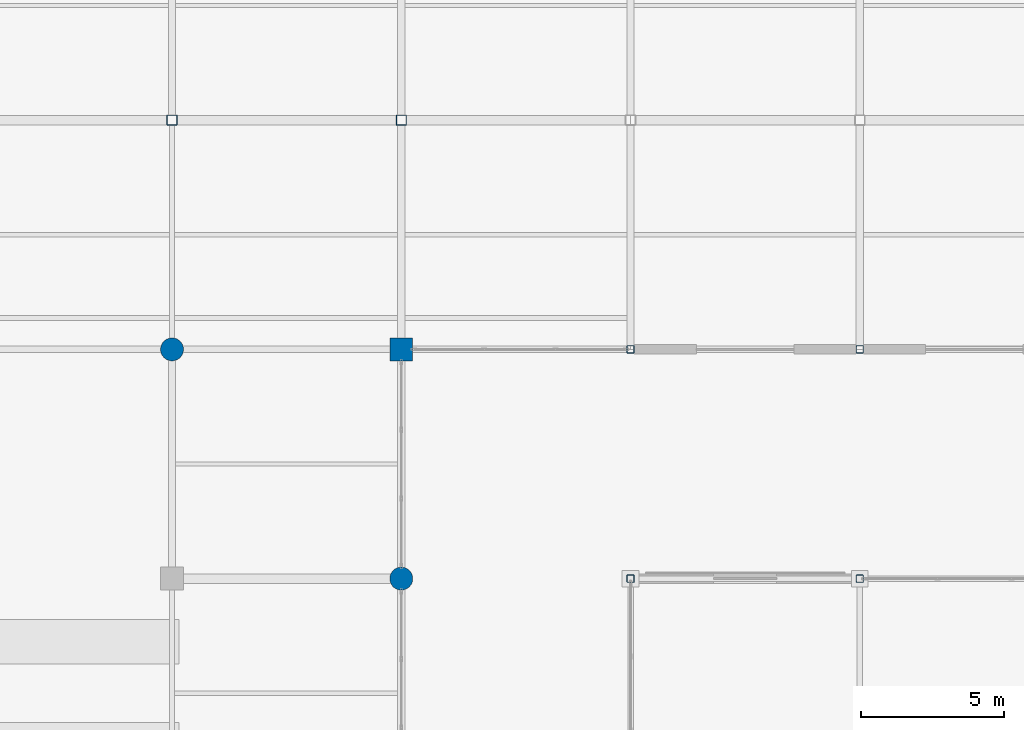
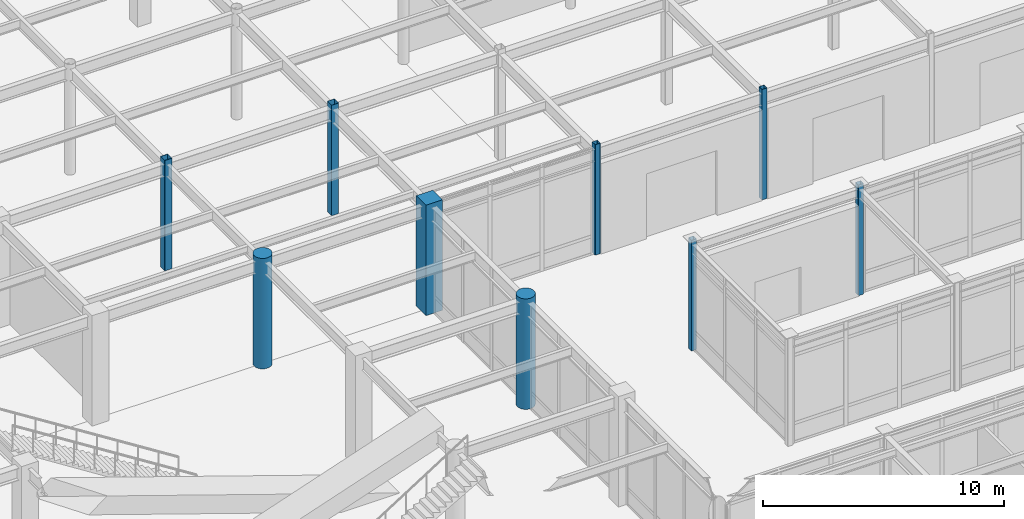
# One storey, part 19 of 128: 9 columns.
"""IFC4 building model written with IfcOpenShell, lengths in metres."""

from ifc_helpers import new_model, si_unit, direction, frame, origin, origin_2d, place, context, subcontext, project, spatial, rectangle, hollow_rectangle, circle, extrude, material, material_profile, profile_set, type_object, element, save


model = new_model("IFC4")

# Units and contexts
model_context = context("Model", 3, precision=1e-05, world=origin(), true_north=direction((0.0, 1.0)))
body_context = subcontext(model_context, "Body", "Model", "MODEL_VIEW")
ifc_project = project(units=[si_unit("LENGTHUNIT", "METRE"), si_unit("AREAUNIT", "SQUARE_METRE"), si_unit("VOLUMEUNIT", "CUBIC_METRE"), si_unit("PLANEANGLEUNIT", "RADIAN"), si_unit("MASSUNIT", "GRAM", prefix="KILO")], contexts=[model_context])

# Site, building, storey
site_placement = place(None, origin())
site = spatial("IfcSite", under=ifc_project, at=site_placement, CompositionType="ELEMENT")
building_placement = place(site_placement, origin())
building = spatial("IfcBuilding", under=site, at=building_placement, Name="Solmirada Galleria", CompositionType="ELEMENT")
storey_placement = place(building_placement, origin())
storey = spatial("IfcBuildingStorey", under=building, at=storey_placement, Name="L00", CompositionType="ELEMENT", Elevation=0.0)

# Columns
ifc_material_1 = material(Name="Concrete C40/50", Category="concrete")
ifc_material_profile_1 = material_profile(ifc_material_1, circle(Radius=0.39990234375, at=origin_2d()), Name="RCCOL800")
ifc_profile_set_1 = profile_set([ifc_material_profile_1], Name="Concrete C40/50")
column_type_1 = type_object("IfcColumnType", Name="COL-CIR800", PredefinedType="COLUMN", material=ifc_profile_set_1)
for number, where, z_axis, x_axis, name in (
    (1, (104.0, 72.0, 0.0), (0.0, 0.0, 1.0), (1.0, 0.0, 0.0), "Structural column L00-0757"),
    (2, (112.0, 64.0, 0.0), (0.0, 0.0, 1.0), (1.0, 0.0, 0.0), "Structural column L00-0864"),
):
    element("IfcColumn", number, at=place(storey_placement, frame(where, z_axis=z_axis, x_axis=x_axis)), inside=storey, type_object=column_type_1, Name=name, PredefinedType="COLUMN", context=body_context, shape_type="SweptSolid", body=[
        extrude(circle(Radius=0.39990234375, at=origin_2d()), origin(), (0.0, 0.0, 1.0), 5.60009765625),
    ])
ifc_material_2 = material(Name="Steel S355 / ASTM A500 Grade C", Category="steel")
ifc_material_profile_2 = material_profile(ifc_material_2, hollow_rectangle(XDim=0.25390625, YDim=0.25390625, WallThickness=0.0087890625, InnerFilletRadius=0.0087890625, OuterFilletRadius=0.017822265625, at=origin_2d()), Name="HSS10X10X3/8")
ifc_profile_set_2 = profile_set([ifc_material_profile_2], Name="Steel S355 / ASTM A500 Grade C")
column_type_2 = type_object("IfcColumnType", Name="COL-HSS10", PredefinedType="COLUMN", material=ifc_profile_set_2)
for number, where, z_axis, x_axis, name in (
    (3, (120.0, 64.0, 0.0), (0.0, 0.0, 1.0), (1.0, 0.0, 0.0), "Structural column L00-0967"),
    (4, (120.0, 72.0, 0.0), (0.0, 0.0, 1.0), (1.0, 0.0, 0.0), "Structural column L00-0969"),
    (5, (128.0, 64.0, 0.0), (0.0, 0.0, 1.0), (1.0, 0.0, 0.0), "Structural column L00-1050"),
    (6, (128.0, 72.0, 0.0), (0.0, 0.0, 1.0), (1.0, 0.0, 0.0), "Structural column L00-1052"),
):
    element("IfcColumn", number, at=place(storey_placement, frame(where, z_axis=z_axis, x_axis=x_axis)), inside=storey, type_object=column_type_2, Name=name, PredefinedType="COLUMN", context=body_context, shape_type="SweptSolid", body=[
        extrude(hollow_rectangle(XDim=0.25390625, YDim=0.25390625, WallThickness=0.0087890625, InnerFilletRadius=0.0087890625, OuterFilletRadius=0.017822265625, at=origin_2d()), origin(), (0.0, 0.0, 1.0), 5.60009765625),
    ])
ifc_material_profile_3 = material_profile(ifc_material_2, hollow_rectangle(XDim=0.35595703125, YDim=0.35595703125, WallThickness=0.01171875, InnerFilletRadius=0.01171875, OuterFilletRadius=0.023681640625, at=origin_2d()), Name="HSS14X14X1/2")
ifc_profile_set_3 = profile_set([ifc_material_profile_3], Name="Steel S355 / ASTM A500 Grade C")
column_type_3 = type_object("IfcColumnType", Name="COL-HSS14", PredefinedType="COLUMN", material=ifc_profile_set_3)
for number, where, z_axis, x_axis, name in (
    (7, (104.0, 80.0, 0.0), (0.0, 0.0, 1.0), (1.0, 0.0, 0.0), "Structural column L00-0766"),
    (8, (112.0, 80.0, 0.0), (0.0, 0.0, 1.0), (1.0, 0.0, 0.0), "Structural column L00-0882"),
):
    element("IfcColumn", number, at=place(storey_placement, frame(where, z_axis=z_axis, x_axis=x_axis)), inside=storey, type_object=column_type_3, Name=name, PredefinedType="COLUMN", context=body_context, shape_type="SweptSolid", body=[
        extrude(hollow_rectangle(XDim=0.35595703125, YDim=0.35595703125, WallThickness=0.01171875, InnerFilletRadius=0.01171875, OuterFilletRadius=0.023681640625, at=origin_2d()), origin(), (0.0, 0.0, 1.0), 5.60009765625),
    ])
ifc_material_profile_4 = material_profile(ifc_material_1, rectangle(XDim=0.800048828125, YDim=0.800048828125, at=origin_2d()), Name="RC800X800")
ifc_profile_set_4 = profile_set([ifc_material_profile_4], Name="Concrete C40/50")
column_type_4 = type_object("IfcColumnType", Name="COL-RC800", PredefinedType="COLUMN", material=ifc_profile_set_4)
column_placement = place(storey_placement, frame((112.0, 72.0, 0.0), z_axis=(0.0, 0.0, 1.0), x_axis=(1.0, 0.0, 0.0)))
element("IfcColumn", 9, at=column_placement, inside=storey, type_object=column_type_4, Name="Structural column L00-0873", PredefinedType="COLUMN", context=body_context, shape_type="SweptSolid", body=[
    extrude(rectangle(XDim=0.800048828125, YDim=0.800048828125, at=origin_2d()), origin(), (0.0, 0.0, 1.0), 5.60009765625),
])

save(model, "model.ifc")
